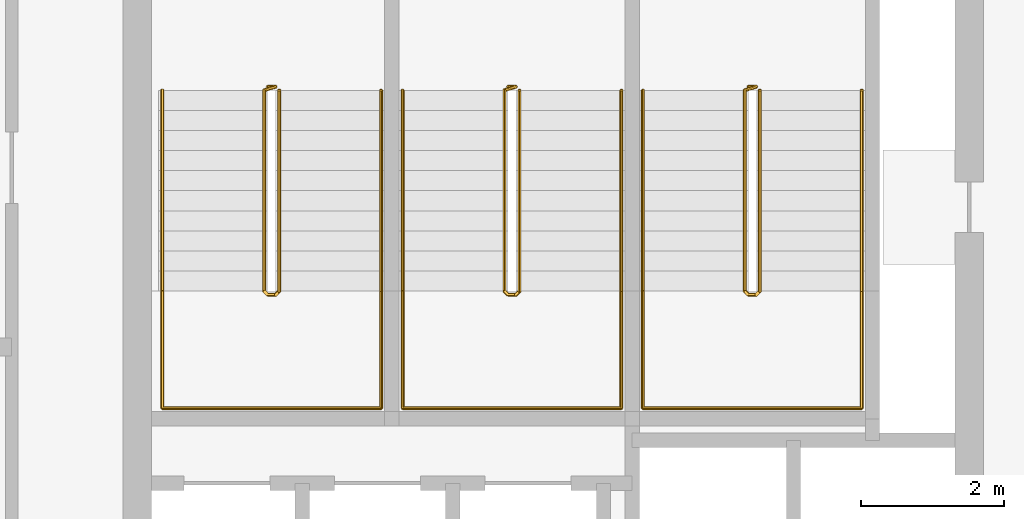
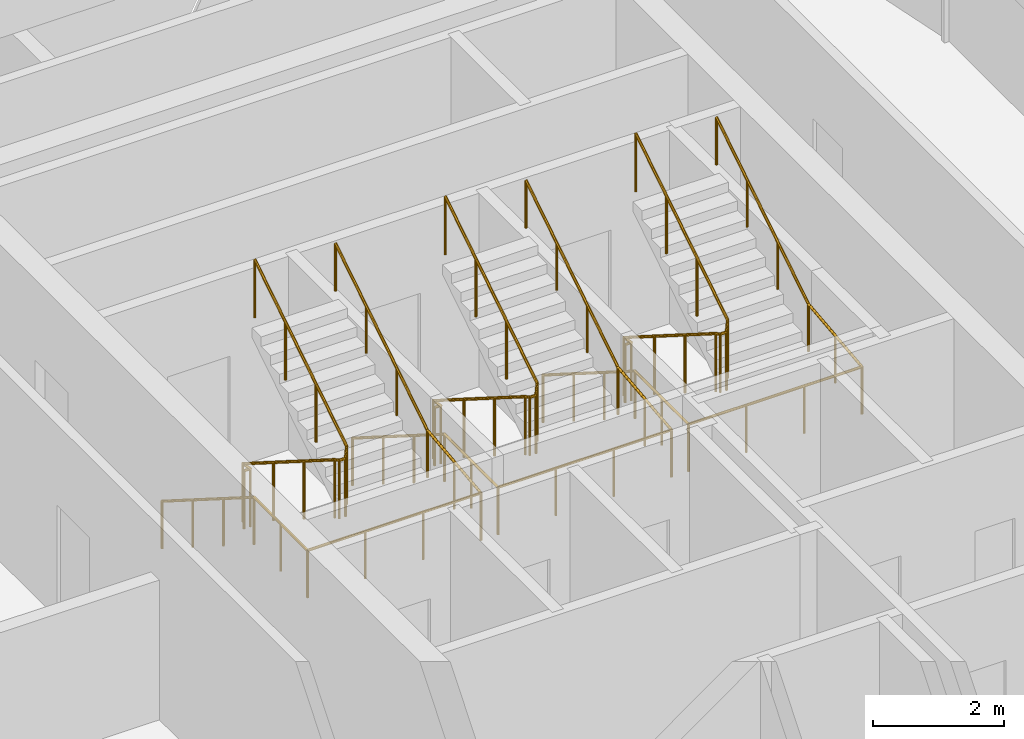
# One storey, part 10 of 10: 6 railings.
"""IFC4 building model written with IfcOpenShell, lengths in metres."""

from ifc_helpers import new_model, si_unit, direction, frame, origin, origin_2d, place, context, subcontext, project, spatial, circle, extrude, material, type_object, element, save


model = new_model("IFC4")

# Units and contexts
model_context = context("Model", 3, precision=1e-05, world=origin(), true_north=direction((0.0, 1.0)))
body_context = subcontext(model_context, "Body", "Model", "MODEL_VIEW")
ifc_project = project(units=[si_unit("LENGTHUNIT", "METRE"), si_unit("AREAUNIT", "SQUARE_METRE"), si_unit("VOLUMEUNIT", "CUBIC_METRE"), si_unit("PLANEANGLEUNIT", "RADIAN"), si_unit("MASSUNIT", "GRAM", prefix="KILO")], contexts=[model_context])

# Site, building, storey
site_placement = place(None, origin())
site = spatial("IfcSite", under=ifc_project, at=site_placement, CompositionType="ELEMENT")
building_placement = place(site_placement, origin())
building = spatial("IfcBuilding", under=site, at=building_placement, Name="Tessera Arch", CompositionType="ELEMENT")
storey_placement = place(building_placement, frame((0.0, 0.0, 261.800048828125)))
storey = spatial("IfcBuildingStorey", under=building, at=storey_placement, Name="L63", CompositionType="ELEMENT", Elevation=261.800048828125)

# Railings
ifc_material_1 = material(Name="Painted steel balustrade", Category="steel")
railing_type_1 = type_object("IfcRailingType", Name="Stair guard 1100", PredefinedType="GUARDRAIL", material=ifc_material_1)
railing_1_placement = place(storey_placement, frame((38.219970703125, 43.6298828125, 0.0)))
element("IfcRailing", 1, at=railing_1_placement, inside=storey, type_object=railing_type_1, Name="L63 S1a stair guard 1", PredefinedType="GUARDRAIL", context=body_context, shape_type="SweptSolid", body=[
    extrude(circle(Radius=0.02392578125, at=origin_2d()), frame((-0.00390625, 0.0, 1.076171875), z_axis=(1.0, 0.0, 0.0), x_axis=(0.0, 1.0, 0.0)), (0.0, 0.0, 1.0), 0.1181640625),
    extrude(circle(Radius=0.02392578125, at=origin_2d()), frame((0.11279296875, 0.000732421875, 1.0732421875), z_axis=(-0.656319048605, -0.204099216335, 0.726353093426), x_axis=(0.296948579431, -0.954893471113, 0.0)), (0.0, 0.0, 1.0), 0.251953125),
    extrude(circle(Radius=0.02392578125, at=origin_2d()), frame((-0.050048828125, -0.04638671875, 1.251220703125), z_axis=(0.0, -0.844908973607, 0.534910110503), x_axis=(1.0, 0.0, 0.0)), (0.0, 0.0, 1.0), 3.322021484375),
    extrude(circle(Radius=0.02392578125, at=origin_2d()), frame((-0.052978515625, -2.846923828125, 3.02587890625), z_axis=(0.707106781187, -0.707106781187, 0.0), x_axis=(0.707106781187, 0.707106781187, 0.0)), (0.0, 0.0, 1.0), 0.078857421875),
    extrude(circle(Radius=0.02392578125, at=origin_2d()), frame((-0.00390625, -2.89990234375, 3.02587890625), z_axis=(1.0, 0.0, 0.0), x_axis=(0.0, 1.0, 0.0)), (0.0, 0.0, 1.0), 0.1181640625),
    extrude(circle(Radius=0.02392578125, at=origin_2d()), frame((0.109130859375, -2.90087890625, 3.022216796875), z_axis=(0.261041864531, 0.262321481514, 0.929001929653), x_axis=(-0.708833529934, 0.705375805398, 0.0)), (0.0, 0.0, 1.0), 0.19873046875),
    extrude(circle(Radius=0.02392578125, at=origin_2d()), frame((0.159912109375, -2.853271484375, 3.201171875), z_axis=(0.0, 0.844908973607, 0.534910110503), x_axis=(-1.0, 0.0, 0.0)), (0.0, 0.0, 1.0), 3.322021484375),
    extrude(circle(Radius=0.02099609375, at=origin_2d()), origin(), (0.0, 0.0, 1.0), 1.06396484375),
    extrude(circle(Radius=0.02099609375, at=origin_2d()), frame((0.110107421875, 0.0, 0.0)), (0.0, 0.0, 1.0), 1.06396484375),
    extrude(circle(Radius=0.02099609375, at=origin_2d()), frame((-0.050048828125, -0.0498046875, 0.17724609375)), (0.0, 0.0, 1.0), 1.06396484375),
    extrude(circle(Radius=0.02099609375, at=origin_2d()), frame((-0.050048828125, -0.983154296875, 0.76806640625)), (0.0, 0.0, 1.0), 1.06396484375),
    extrude(circle(Radius=0.02099609375, at=origin_2d()), frame((-0.050048828125, -1.91650390625, 1.359130859375)), (0.0, 0.0, 1.0), 1.06396484375),
    extrude(circle(Radius=0.02099609375, at=origin_2d()), frame((-0.050048828125, -2.849853515625, 1.949951171875)), (0.0, 0.0, 1.0), 1.06396484375),
    extrude(circle(Radius=0.02099609375, at=origin_2d()), frame((0.0, -2.89990234375, 1.949951171875)), (0.0, 0.0, 1.0), 1.06396484375),
    extrude(circle(Radius=0.02099609375, at=origin_2d()), frame((0.110107421875, -2.89990234375, 1.949951171875)), (0.0, 0.0, 1.0), 1.06396484375),
    extrude(circle(Radius=0.02099609375, at=origin_2d()), frame((0.159912109375, -2.849853515625, 2.127197265625)), (0.0, 0.0, 1.0), 1.06396484375),
    extrude(circle(Radius=0.02099609375, at=origin_2d()), frame((0.159912109375, -1.91650390625, 2.718017578125)), (0.0, 0.0, 1.0), 1.06396484375),
    extrude(circle(Radius=0.02099609375, at=origin_2d()), frame((0.159912109375, -0.983154296875, 3.30908203125)), (0.0, 0.0, 1.0), 1.06396484375),
    extrude(circle(Radius=0.02099609375, at=origin_2d()), frame((0.159912109375, -0.0498046875, 3.89990234375)), (0.0, 0.0, 1.0), 1.06396484375),
])
railing_2_placement = place(storey_placement, frame((41.570068359375, 43.6298828125, 0.0)))
element("IfcRailing", 2, at=railing_2_placement, inside=storey, type_object=railing_type_1, Name="L63 S1b stair guard 1", PredefinedType="GUARDRAIL", context=body_context, shape_type="SweptSolid", body=[
    extrude(circle(Radius=0.02392578125, at=origin_2d()), frame((-0.00390625, 0.0, 1.076171875), z_axis=(1.0, 0.0, 0.0), x_axis=(0.0, 1.0, 0.0)), (0.0, 0.0, 1.0), 0.117919921875),
    extrude(circle(Radius=0.02392578125, at=origin_2d()), frame((0.112548828125, 0.000732421875, 1.0732421875), z_axis=(-0.65574896516, -0.204233265485, 0.726830150696), x_axis=(0.297361876254, -0.954764847777, 0.0)), (0.0, 0.0, 1.0), 0.251953125),
    extrude(circle(Radius=0.02392578125, at=origin_2d()), frame((-0.050048828125, -0.04638671875, 1.251220703125), z_axis=(0.0, -0.844908973607, 0.534910110503), x_axis=(1.0, 0.0, 0.0)), (0.0, 0.0, 1.0), 3.322021484375),
    extrude(circle(Radius=0.02392578125, at=origin_2d()), frame((-0.052978515625, -2.846923828125, 3.02587890625), z_axis=(0.707106781187, -0.707106781187, 0.0), x_axis=(0.707106781187, 0.707106781187, 0.0)), (0.0, 0.0, 1.0), 0.078857421875),
    extrude(circle(Radius=0.02392578125, at=origin_2d()), frame((-0.00390625, -2.89990234375, 3.02587890625), z_axis=(1.0, 0.0, 0.0), x_axis=(0.0, 1.0, 0.0)), (0.0, 0.0, 1.0), 0.117919921875),
    extrude(circle(Radius=0.02392578125, at=origin_2d()), frame((0.10888671875, -2.90087890625, 3.022216796875), z_axis=(0.262233686654, 0.262233686654, 0.928691007369), x_axis=(-0.707106781187, 0.707106781187, 0.0)), (0.0, 0.0, 1.0), 0.198974609375),
    extrude(circle(Radius=0.02392578125, at=origin_2d()), frame((0.159912109375, -2.853271484375, 3.201171875), z_axis=(0.0, 0.844908973607, 0.534910110503), x_axis=(-1.0, 0.0, 0.0)), (0.0, 0.0, 1.0), 3.322021484375),
    extrude(circle(Radius=0.02099609375, at=origin_2d()), origin(), (0.0, 0.0, 1.0), 1.06396484375),
    extrude(circle(Radius=0.02099609375, at=origin_2d()), frame((0.10986328125, 0.0, 0.0)), (0.0, 0.0, 1.0), 1.06396484375),
    extrude(circle(Radius=0.02099609375, at=origin_2d()), frame((-0.050048828125, -0.0498046875, 0.17724609375)), (0.0, 0.0, 1.0), 1.06396484375),
    extrude(circle(Radius=0.02099609375, at=origin_2d()), frame((-0.050048828125, -0.983154296875, 0.76806640625)), (0.0, 0.0, 1.0), 1.06396484375),
    extrude(circle(Radius=0.02099609375, at=origin_2d()), frame((-0.050048828125, -1.91650390625, 1.359130859375)), (0.0, 0.0, 1.0), 1.06396484375),
    extrude(circle(Radius=0.02099609375, at=origin_2d()), frame((-0.050048828125, -2.849853515625, 1.949951171875)), (0.0, 0.0, 1.0), 1.06396484375),
    extrude(circle(Radius=0.02099609375, at=origin_2d()), frame((0.0, -2.89990234375, 1.949951171875)), (0.0, 0.0, 1.0), 1.06396484375),
    extrude(circle(Radius=0.02099609375, at=origin_2d()), frame((0.10986328125, -2.89990234375, 1.949951171875)), (0.0, 0.0, 1.0), 1.06396484375),
    extrude(circle(Radius=0.02099609375, at=origin_2d()), frame((0.159912109375, -2.849853515625, 2.127197265625)), (0.0, 0.0, 1.0), 1.06396484375),
    extrude(circle(Radius=0.02099609375, at=origin_2d()), frame((0.159912109375, -1.91650390625, 2.718017578125)), (0.0, 0.0, 1.0), 1.06396484375),
    extrude(circle(Radius=0.02099609375, at=origin_2d()), frame((0.159912109375, -0.983154296875, 3.30908203125)), (0.0, 0.0, 1.0), 1.06396484375),
    extrude(circle(Radius=0.02099609375, at=origin_2d()), frame((0.159912109375, -0.0498046875, 3.89990234375)), (0.0, 0.0, 1.0), 1.06396484375),
])
railing_3_placement = place(storey_placement, frame((44.919921875, 43.6298828125, 0.0)))
element("IfcRailing", 3, at=railing_3_placement, inside=storey, type_object=railing_type_1, Name="L63 S1c stair guard 1", PredefinedType="GUARDRAIL", context=body_context, shape_type="SweptSolid", body=[
    extrude(circle(Radius=0.02392578125, at=origin_2d()), frame((-0.00390625, 0.0, 1.076171875), z_axis=(1.0, 0.0, 0.0), x_axis=(0.0, 1.0, 0.0)), (0.0, 0.0, 1.0), 0.1181640625),
    extrude(circle(Radius=0.02392578125, at=origin_2d()), frame((0.11279296875, 0.000732421875, 1.0732421875), z_axis=(-0.65574896516, -0.204233265485, 0.726830150696), x_axis=(0.297361876254, -0.954764847777, 0.0)), (0.0, 0.0, 1.0), 0.251953125),
    extrude(circle(Radius=0.02392578125, at=origin_2d()), frame((-0.0498046875, -0.04638671875, 1.251220703125), z_axis=(0.0, -0.844908973607, 0.534910110503), x_axis=(1.0, 0.0, 0.0)), (0.0, 0.0, 1.0), 3.322021484375),
    extrude(circle(Radius=0.02392578125, at=origin_2d()), frame((-0.052734375, -2.846923828125, 3.02587890625), z_axis=(0.705375805398, -0.708833529934, 0.0), x_axis=(0.708833529934, 0.705375805398, 0.0)), (0.0, 0.0, 1.0), 0.07861328125),
    extrude(circle(Radius=0.02392578125, at=origin_2d()), frame((-0.00390625, -2.89990234375, 3.02587890625), z_axis=(1.0, 0.0, 0.0), x_axis=(0.0, 1.0, 0.0)), (0.0, 0.0, 1.0), 0.1181640625),
    extrude(circle(Radius=0.02392578125, at=origin_2d()), frame((0.109130859375, -2.90087890625, 3.022216796875), z_axis=(0.262233686654, 0.262233686654, 0.928691007369), x_axis=(-0.707106781187, 0.707106781187, 0.0)), (0.0, 0.0, 1.0), 0.198974609375),
    extrude(circle(Radius=0.02392578125, at=origin_2d()), frame((0.16015625, -2.853271484375, 3.201171875), z_axis=(0.0, 0.844908973607, 0.534910110503), x_axis=(-1.0, 0.0, 0.0)), (0.0, 0.0, 1.0), 3.322021484375),
    extrude(circle(Radius=0.02099609375, at=origin_2d()), origin(), (0.0, 0.0, 1.0), 1.06396484375),
    extrude(circle(Radius=0.02099609375, at=origin_2d()), frame((0.110107421875, 0.0, 0.0)), (0.0, 0.0, 1.0), 1.06396484375),
    extrude(circle(Radius=0.02099609375, at=origin_2d()), frame((-0.0498046875, -0.0498046875, 0.17724609375)), (0.0, 0.0, 1.0), 1.06396484375),
    extrude(circle(Radius=0.02099609375, at=origin_2d()), frame((-0.0498046875, -0.983154296875, 0.76806640625)), (0.0, 0.0, 1.0), 1.06396484375),
    extrude(circle(Radius=0.02099609375, at=origin_2d()), frame((-0.0498046875, -1.91650390625, 1.359130859375)), (0.0, 0.0, 1.0), 1.06396484375),
    extrude(circle(Radius=0.02099609375, at=origin_2d()), frame((-0.0498046875, -2.849853515625, 1.949951171875)), (0.0, 0.0, 1.0), 1.06396484375),
    extrude(circle(Radius=0.02099609375, at=origin_2d()), frame((0.0, -2.89990234375, 1.949951171875)), (0.0, 0.0, 1.0), 1.06396484375),
    extrude(circle(Radius=0.02099609375, at=origin_2d()), frame((0.110107421875, -2.89990234375, 1.949951171875)), (0.0, 0.0, 1.0), 1.06396484375),
    extrude(circle(Radius=0.02099609375, at=origin_2d()), frame((0.16015625, -2.849853515625, 2.127197265625)), (0.0, 0.0, 1.0), 1.06396484375),
    extrude(circle(Radius=0.02099609375, at=origin_2d()), frame((0.16015625, -1.91650390625, 2.718017578125)), (0.0, 0.0, 1.0), 1.06396484375),
    extrude(circle(Radius=0.02099609375, at=origin_2d()), frame((0.16015625, -0.983154296875, 3.30908203125)), (0.0, 0.0, 1.0), 1.06396484375),
    extrude(circle(Radius=0.02099609375, at=origin_2d()), frame((0.16015625, -0.0498046875, 3.89990234375)), (0.0, 0.0, 1.0), 1.06396484375),
])
ifc_material_2 = material(Name="Painted steel handrail", Category="steel")
railing_type_2 = type_object("IfcRailingType", Name="Stair handrail 900", PredefinedType="HANDRAIL", material=ifc_material_2)
railing_4_placement = place(storey_placement, frame((36.75, 43.580078125, 0.17724609375)))
element("IfcRailing", 4, at=railing_4_placement, inside=storey, type_object=railing_type_2, Name="L63 S1a stair handrail", PredefinedType="HANDRAIL", context=body_context, shape_type="SweptSolid", body=[
    extrude(circle(Radius=0.02392578125, at=origin_2d()), frame((0.0, 0.00341796875, 0.873779296875), z_axis=(0.0, -0.844908973607, 0.534910110503), x_axis=(1.0, 0.0, 0.0)), (0.0, 0.0, 1.0), 3.322021484375),
    extrude(circle(Radius=0.02392578125, at=origin_2d()), frame((0.0, -2.796142578125, 2.6484375), z_axis=(0.0, -1.0, 0.0), x_axis=(1.0, 0.0, 0.0)), (0.0, 0.0, 1.0), 1.63818359375),
    extrude(circle(Radius=0.02392578125, at=origin_2d()), frame((-0.00390625, -4.43017578125, 2.6484375), z_axis=(1.0, 0.0, 0.0), x_axis=(0.0, 1.0, 0.0)), (0.0, 0.0, 1.0), 3.05810546875),
    extrude(circle(Radius=0.02392578125, at=origin_2d()), frame((3.050048828125, -4.43408203125, 2.648193359375), z_axis=(0.0, 0.994140637614, 0.108094369164), x_axis=(-1.0, 0.0, 0.0)), (0.0, 0.0, 1.0), 1.647705078125),
    extrude(circle(Radius=0.02392578125, at=origin_2d()), frame((3.050048828125, -2.803466796875, 2.82373046875), z_axis=(0.0, 0.844908973607, 0.534910110503), x_axis=(-1.0, 0.0, 0.0)), (0.0, 0.0, 1.0), 3.322021484375),
    extrude(circle(Radius=0.02099609375, at=origin_2d()), origin(), (0.0, 0.0, 1.0), 0.86376953125),
    extrude(circle(Radius=0.02099609375, at=origin_2d()), frame((0.0, -0.933349609375, 0.5908203125)), (0.0, 0.0, 1.0), 0.86376953125),
    extrude(circle(Radius=0.02099609375, at=origin_2d()), frame((0.0, -1.86669921875, 1.181884765625)), (0.0, 0.0, 1.0), 0.86376953125),
    extrude(circle(Radius=0.02099609375, at=origin_2d()), frame((0.0, -2.800048828125, 1.772705078125)), (0.0, 0.0, 1.0), 0.86376953125),
    extrude(circle(Radius=0.02099609375, at=origin_2d()), frame((0.0, -3.615234375, 1.772705078125)), (0.0, 0.0, 1.0), 0.86376953125),
    extrude(circle(Radius=0.02099609375, at=origin_2d()), frame((0.0, -4.43017578125, 1.772705078125)), (0.0, 0.0, 1.0), 0.86376953125),
    extrude(circle(Radius=0.02099609375, at=origin_2d()), frame((1.0166015625, -4.43017578125, 1.772705078125)), (0.0, 0.0, 1.0), 0.86376953125),
    extrude(circle(Radius=0.02099609375, at=origin_2d()), frame((2.033447265625, -4.43017578125, 1.772705078125)), (0.0, 0.0, 1.0), 0.86376953125),
    extrude(circle(Radius=0.02099609375, at=origin_2d()), frame((3.050048828125, -4.43017578125, 1.772705078125)), (0.0, 0.0, 1.0), 0.86376953125),
    extrude(circle(Radius=0.02099609375, at=origin_2d()), frame((3.050048828125, -3.615234375, 1.861328125)), (0.0, 0.0, 1.0), 0.86376953125),
    extrude(circle(Radius=0.02099609375, at=origin_2d()), frame((3.050048828125, -2.800048828125, 1.949951171875)), (0.0, 0.0, 1.0), 0.86376953125),
    extrude(circle(Radius=0.02099609375, at=origin_2d()), frame((3.050048828125, -1.86669921875, 2.540771484375)), (0.0, 0.0, 1.0), 0.86376953125),
    extrude(circle(Radius=0.02099609375, at=origin_2d()), frame((3.050048828125, -0.933349609375, 3.1318359375)), (0.0, 0.0, 1.0), 0.86376953125),
    extrude(circle(Radius=0.02099609375, at=origin_2d()), frame((3.050048828125, 0.0, 3.72265625)), (0.0, 0.0, 1.0), 0.86376953125),
])
railing_5_placement = place(storey_placement, frame((40.10009765625, 43.580078125, 0.17724609375)))
element("IfcRailing", 5, at=railing_5_placement, inside=storey, type_object=railing_type_2, Name="L63 S1b stair handrail", PredefinedType="HANDRAIL", context=body_context, shape_type="SweptSolid", body=[
    extrude(circle(Radius=0.02392578125, at=origin_2d()), frame((0.0, 0.00341796875, 0.873779296875), z_axis=(0.0, -0.844908973607, 0.534910110503), x_axis=(1.0, 0.0, 0.0)), (0.0, 0.0, 1.0), 3.322021484375),
    extrude(circle(Radius=0.02392578125, at=origin_2d()), frame((0.0, -2.796142578125, 2.6484375), z_axis=(0.0, -1.0, 0.0), x_axis=(1.0, 0.0, 0.0)), (0.0, 0.0, 1.0), 1.63818359375),
    extrude(circle(Radius=0.02392578125, at=origin_2d()), frame((-0.00390625, -4.43017578125, 2.6484375), z_axis=(1.0, 0.0, 0.0), x_axis=(0.0, 1.0, 0.0)), (0.0, 0.0, 1.0), 3.057861328125),
    extrude(circle(Radius=0.02392578125, at=origin_2d()), frame((3.0498046875, -4.43408203125, 2.648193359375), z_axis=(0.0, 0.994140637614, 0.108094369164), x_axis=(-1.0, 0.0, 0.0)), (0.0, 0.0, 1.0), 1.647705078125),
    extrude(circle(Radius=0.02392578125, at=origin_2d()), frame((3.0498046875, -2.803466796875, 2.82373046875), z_axis=(0.0, 0.844908973607, 0.534910110503), x_axis=(-1.0, 0.0, 0.0)), (0.0, 0.0, 1.0), 3.322021484375),
    extrude(circle(Radius=0.02099609375, at=origin_2d()), origin(), (0.0, 0.0, 1.0), 0.86376953125),
    extrude(circle(Radius=0.02099609375, at=origin_2d()), frame((0.0, -0.933349609375, 0.5908203125)), (0.0, 0.0, 1.0), 0.86376953125),
    extrude(circle(Radius=0.02099609375, at=origin_2d()), frame((0.0, -1.86669921875, 1.181884765625)), (0.0, 0.0, 1.0), 0.86376953125),
    extrude(circle(Radius=0.02099609375, at=origin_2d()), frame((0.0, -2.800048828125, 1.772705078125)), (0.0, 0.0, 1.0), 0.86376953125),
    extrude(circle(Radius=0.02099609375, at=origin_2d()), frame((0.0, -3.615234375, 1.772705078125)), (0.0, 0.0, 1.0), 0.86376953125),
    extrude(circle(Radius=0.02099609375, at=origin_2d()), frame((0.0, -4.43017578125, 1.772705078125)), (0.0, 0.0, 1.0), 0.86376953125),
    extrude(circle(Radius=0.02099609375, at=origin_2d()), frame((1.0166015625, -4.43017578125, 1.772705078125)), (0.0, 0.0, 1.0), 0.86376953125),
    extrude(circle(Radius=0.02099609375, at=origin_2d()), frame((2.033203125, -4.43017578125, 1.772705078125)), (0.0, 0.0, 1.0), 0.86376953125),
    extrude(circle(Radius=0.02099609375, at=origin_2d()), frame((3.0498046875, -4.43017578125, 1.772705078125)), (0.0, 0.0, 1.0), 0.86376953125),
    extrude(circle(Radius=0.02099609375, at=origin_2d()), frame((3.0498046875, -3.615234375, 1.861328125)), (0.0, 0.0, 1.0), 0.86376953125),
    extrude(circle(Radius=0.02099609375, at=origin_2d()), frame((3.0498046875, -2.800048828125, 1.949951171875)), (0.0, 0.0, 1.0), 0.86376953125),
    extrude(circle(Radius=0.02099609375, at=origin_2d()), frame((3.0498046875, -1.86669921875, 2.540771484375)), (0.0, 0.0, 1.0), 0.86376953125),
    extrude(circle(Radius=0.02099609375, at=origin_2d()), frame((3.0498046875, -0.933349609375, 3.1318359375)), (0.0, 0.0, 1.0), 0.86376953125),
    extrude(circle(Radius=0.02099609375, at=origin_2d()), frame((3.0498046875, 0.0, 3.72265625)), (0.0, 0.0, 1.0), 0.86376953125),
])
railing_6_placement = place(storey_placement, frame((43.449951171875, 43.580078125, 0.17724609375)))
element("IfcRailing", 6, at=railing_6_placement, inside=storey, type_object=railing_type_2, Name="L63 S1c stair handrail", PredefinedType="HANDRAIL", context=body_context, shape_type="SweptSolid", body=[
    extrude(circle(Radius=0.02392578125, at=origin_2d()), frame((0.0, 0.00341796875, 0.873779296875), z_axis=(0.0, -0.844908973607, 0.534910110503), x_axis=(1.0, 0.0, 0.0)), (0.0, 0.0, 1.0), 3.322021484375),
    extrude(circle(Radius=0.02392578125, at=origin_2d()), frame((0.0, -2.796142578125, 2.6484375), z_axis=(0.0, -1.0, 0.0), x_axis=(1.0, 0.0, 0.0)), (0.0, 0.0, 1.0), 1.63818359375),
    extrude(circle(Radius=0.02392578125, at=origin_2d()), frame((-0.00390625, -4.43017578125, 2.6484375), z_axis=(1.0, 0.0, 0.0), x_axis=(0.0, 1.0, 0.0)), (0.0, 0.0, 1.0), 3.05810546875),
    extrude(circle(Radius=0.02392578125, at=origin_2d()), frame((3.050048828125, -4.43408203125, 2.648193359375), z_axis=(0.0, 0.994140637614, 0.108094369164), x_axis=(-1.0, 0.0, 0.0)), (0.0, 0.0, 1.0), 1.647705078125),
    extrude(circle(Radius=0.02392578125, at=origin_2d()), frame((3.050048828125, -2.803466796875, 2.82373046875), z_axis=(0.0, 0.844908973607, 0.534910110503), x_axis=(-1.0, 0.0, 0.0)), (0.0, 0.0, 1.0), 3.322021484375),
    extrude(circle(Radius=0.02099609375, at=origin_2d()), origin(), (0.0, 0.0, 1.0), 0.86376953125),
    extrude(circle(Radius=0.02099609375, at=origin_2d()), frame((0.0, -0.933349609375, 0.5908203125)), (0.0, 0.0, 1.0), 0.86376953125),
    extrude(circle(Radius=0.02099609375, at=origin_2d()), frame((0.0, -1.86669921875, 1.181884765625)), (0.0, 0.0, 1.0), 0.86376953125),
    extrude(circle(Radius=0.02099609375, at=origin_2d()), frame((0.0, -2.800048828125, 1.772705078125)), (0.0, 0.0, 1.0), 0.86376953125),
    extrude(circle(Radius=0.02099609375, at=origin_2d()), frame((0.0, -3.615234375, 1.772705078125)), (0.0, 0.0, 1.0), 0.86376953125),
    extrude(circle(Radius=0.02099609375, at=origin_2d()), frame((0.0, -4.43017578125, 1.772705078125)), (0.0, 0.0, 1.0), 0.86376953125),
    extrude(circle(Radius=0.02099609375, at=origin_2d()), frame((1.0166015625, -4.43017578125, 1.772705078125)), (0.0, 0.0, 1.0), 0.86376953125),
    extrude(circle(Radius=0.02099609375, at=origin_2d()), frame((2.033447265625, -4.43017578125, 1.772705078125)), (0.0, 0.0, 1.0), 0.86376953125),
    extrude(circle(Radius=0.02099609375, at=origin_2d()), frame((3.050048828125, -4.43017578125, 1.772705078125)), (0.0, 0.0, 1.0), 0.86376953125),
    extrude(circle(Radius=0.02099609375, at=origin_2d()), frame((3.050048828125, -3.615234375, 1.861328125)), (0.0, 0.0, 1.0), 0.86376953125),
    extrude(circle(Radius=0.02099609375, at=origin_2d()), frame((3.050048828125, -2.800048828125, 1.949951171875)), (0.0, 0.0, 1.0), 0.86376953125),
    extrude(circle(Radius=0.02099609375, at=origin_2d()), frame((3.050048828125, -1.86669921875, 2.540771484375)), (0.0, 0.0, 1.0), 0.86376953125),
    extrude(circle(Radius=0.02099609375, at=origin_2d()), frame((3.050048828125, -0.933349609375, 3.1318359375)), (0.0, 0.0, 1.0), 0.86376953125),
    extrude(circle(Radius=0.02099609375, at=origin_2d()), frame((3.050048828125, 0.0, 3.72265625)), (0.0, 0.0, 1.0), 0.86376953125),
])

save(model, "model.ifc")
